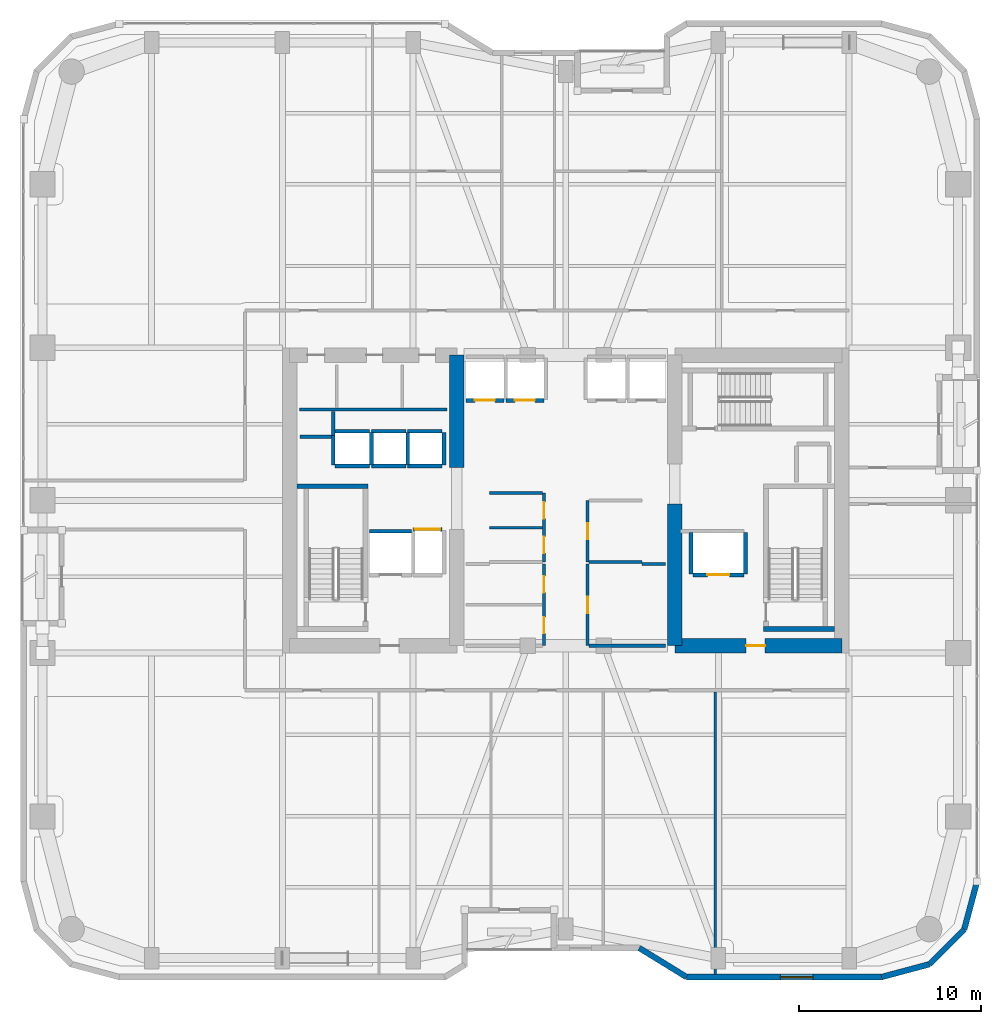
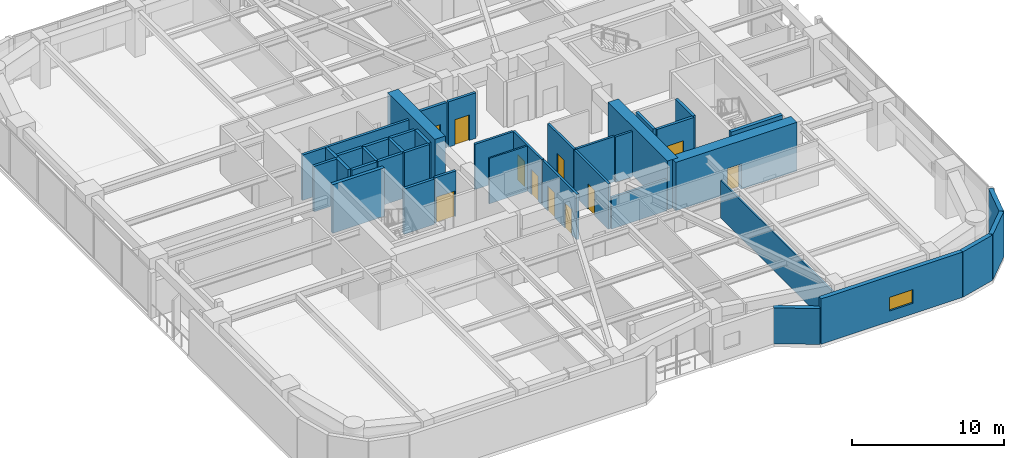
# One storey, part 19 of 24: 40 walls, 11 doors, 1 window, 12 openings.
"""IFC4 building model written with IfcOpenShell, lengths in metres."""

from ifc_helpers import new_model, si_unit, direction, frame, frame_2d, origin, place, context, subcontext, project, spatial, rectangle, extrude, material, layer, layer_set, type_object, element, fill, save


model = new_model("IFC4")

# Units and contexts
model_context = context("Model", 3, precision=1e-05, world=origin(), true_north=direction((0.0, 1.0)))
body_context = subcontext(model_context, "Body", "Model", "MODEL_VIEW")
ifc_project = project(units=[si_unit("LENGTHUNIT", "METRE"), si_unit("AREAUNIT", "SQUARE_METRE"), si_unit("VOLUMEUNIT", "CUBIC_METRE"), si_unit("PLANEANGLEUNIT", "RADIAN"), si_unit("MASSUNIT", "GRAM", prefix="KILO")], contexts=[model_context])

# Site, building, storey
site_placement = place(None, origin())
site = spatial("IfcSite", under=ifc_project, at=site_placement, CompositionType="ELEMENT")
building_placement = place(site_placement, origin())
building = spatial("IfcBuilding", under=site, at=building_placement, Name="Kiyonajd Concourse Tower", CompositionType="ELEMENT")
storey_placement = place(building_placement, frame((0.0, 0.0, 137.699951171875)))
storey = spatial("IfcBuildingStorey", under=building, at=storey_placement, Name="L35", CompositionType="ELEMENT", Elevation=137.699951171875)

# Walls
ifc_material_1 = material(Name="Concrete C70/85", Category="concrete")
ifc_layer_1 = layer(ifc_material_1, 0.800048828125)
ifc_layer_set_1 = layer_set([ifc_layer_1], Name="Concrete C70/85")
wall_type_1 = type_object("IfcWallType", Name="WL-CORE-800", PredefinedType="SHEAR", material=ifc_layer_set_1)
wall_1_placement = place(storey_placement, frame((42.0, 37.800048828125, 0.0), z_axis=(0.0, 0.0, 1.0), x_axis=(0.0, 1.0, 0.0)))
element("IfcWall", 1, at=wall_1_placement, inside=storey, type_object=wall_type_1, Name="L35 West Core Inner North Shear Wall", PredefinedType="SHEAR", context=body_context, shape_type="SweptSolid", body=[
    extrude(rectangle(XDim=6.199951171875, YDim=0.800048828125, at=frame_2d((3.10009765625, 0.0))), origin(), (0.0, 0.0, 1.0), 3.900146484375),
])
wall_2_placement = place(storey_placement, frame((54.0, 28.0, 0.0), z_axis=(0.0, 0.0, 1.0), x_axis=(0.0, 1.0, 0.0)))
element("IfcWall", 2, at=wall_2_placement, inside=storey, type_object=wall_type_1, Name="L35 East Core Inner South Shear Wall", PredefinedType="SHEAR", context=body_context, shape_type="SweptSolid", body=[
    extrude(rectangle(XDim=7.800048828125, YDim=0.800048828125, at=frame_2d((3.89990234375, 0.0))), origin(), (0.0, 0.0, 1.0), 3.900146484375),
])

# Wall, opening, door
wall_3_placement = place(storey_placement, frame((54.0, 28.0, 0.0), z_axis=(0.0, 0.0, 1.0), x_axis=(1.0, 0.0, 0.0)))
wall_3 = element("IfcWall", 3, at=wall_3_placement, inside=storey, type_object=wall_type_1, Name="L35 East Core South Shear Wall", PredefinedType="SHEAR", context=body_context, shape_type="SweptSolid", body=[
    extrude(rectangle(XDim=9.199951171875, YDim=0.800048828125, at=frame_2d((4.60009765625, 0.0))), origin(), (0.0, 0.0, 1.0), 3.900146484375),
])
opening_1_placement = place(wall_3_placement, frame((3.925048828125, 0.0, 0.0)))
opening_1 = element("IfcOpeningElement", 4, at=opening_1_placement, cuts=wall_3, Name="Opening DF5", PredefinedType="OPENING", context=body_context, shape_type="SweptSolid", body=[
    extrude(rectangle(XDim=1.050048828125, YDim=2.0400390625, at=frame_2d((0.52490234375, 1.02001953125))), frame((0.0, 0.409912109375, 0.0), z_axis=(0.0, -1.0, 0.0), x_axis=(1.0, 0.0, 0.0)), (0.0, 0.0, 1.0), 0.820068359375),
])
ifc_material_2 = material(Name="Brushed Stainless Steel Cab Assembly", Category="steel")
door_type_1 = type_object("IfcDoorType", Name="DR-FD45-1050", OperationType="NOTDEFINED", PredefinedType="DOOR", material=ifc_material_2)
door_1_placement = place(opening_1_placement, origin())
door_1 = element("IfcDoor", 5, at=door_1_placement, inside=storey, type_object=door_type_1, Name="L35 Firefighting Lift Lobby E Smoke Door", OperationType="SINGLE_SWING_RIGHT", OverallHeight=2.0400390625, OverallWidth=1.050048828125, PredefinedType="DOOR", context=body_context, shape_type="SweptSolid", body=[
    extrude(rectangle(XDim=1.050048828125, YDim=2.0400390625, at=frame_2d((0.52490234375, 1.02001953125))), frame((0.0, 0.02490234375, 0.0), z_axis=(0.0, -1.0, 0.0), x_axis=(1.0, 0.0, 0.0)), (0.0, 0.0, 1.0), 0.050048828125),
])
fill(opening_1, door_1)

# Walls
ifc_material_3 = material(Name="Precast concrete C50/60", Category="concrete")
ifc_layer_2 = layer(ifc_material_3, 0.320068359375)
ifc_layer_set_2 = layer_set([ifc_layer_2], Name="Precast concrete C50/60")
wall_type_2 = type_object("IfcWallType", Name="WL-EXT-320", PredefinedType="SOLIDWALL", material=ifc_layer_set_2)
wall_4_placement = place(storey_placement, frame((70.639892578125, 15.02099609375, 0.0), z_axis=(0.0, 0.0, 1.0), x_axis=(-0.258613949072, -0.965980758269, 0.0)))
element("IfcWall", 6, at=wall_4_placement, inside=storey, type_object=wall_type_2, Name="L35 Exterior Concrete Frame Wall 25", PredefinedType="SOLIDWALL", context=body_context, shape_type="SweptSolid", body=[
    extrude(rectangle(XDim=2.731201171875, YDim=0.320068359375, at=frame_2d((1.36572265625, 0.0))), origin(), (0.0, 0.0, 1.0), 3.64013671875),
])
wall_5_placement = place(storey_placement, frame((69.93359375, 12.3828125, 0.0), z_axis=(0.0, 0.0, 1.0), x_axis=(-0.707151821269, -0.707061738235, 0.0)))
element("IfcWall", 7, at=wall_5_placement, inside=storey, type_object=wall_type_2, Name="L35 Exterior Concrete Frame Wall 26", PredefinedType="SOLIDWALL", context=body_context, shape_type="SweptSolid", body=[
    extrude(rectangle(XDim=2.710205078125, YDim=0.320068359375, at=frame_2d((1.35498046875, 0.0))), origin(), (0.0, 0.0, 1.0), 3.64013671875),
])
wall_6_placement = place(storey_placement, frame((68.01708984375, 10.466552734375, 0.0), z_axis=(0.0, 0.0, 1.0), x_axis=(-0.965958423373, -0.25869736047, 0.0)))
element("IfcWall", 8, at=wall_6_placement, inside=storey, type_object=wall_type_2, Name="L35 Exterior Concrete Frame Wall 27", PredefinedType="SOLIDWALL", context=body_context, shape_type="SweptSolid", body=[
    extrude(rectangle(XDim=2.731201171875, YDim=0.320068359375, at=frame_2d((1.36572265625, 0.0))), origin(), (0.0, 0.0, 1.0), 3.64013671875),
])

# Wall, opening, window
wall_7_placement = place(storey_placement, frame((65.37890625, 9.760009765625, 0.0), z_axis=(0.0, 0.0, 1.0), x_axis=(-1.0, 0.0, 0.0)))
wall_7 = element("IfcWall", 9, at=wall_7_placement, inside=storey, type_object=wall_type_2, Name="L35 Exterior Concrete Frame Wall 28", PredefinedType="SOLIDWALL", context=body_context, shape_type="SweptSolid", body=[
    extrude(rectangle(XDim=10.733642578125, YDim=0.320068359375, at=frame_2d((5.36669921875, 0.0))), origin(), (0.0, 0.0, 1.0), 3.64013671875),
])
opening_2_placement = place(wall_7_placement, frame((3.76904296875, 0.0, 0.85009765625)))
opening_2 = element("IfcOpeningElement", 10, at=opening_2_placement, cuts=wall_7, Name="Opening WN1", PredefinedType="OPENING", context=body_context, shape_type="SweptSolid", body=[
    extrude(rectangle(XDim=1.800048828125, YDim=1.10009765625, at=frame_2d((0.89990234375, 0.550048828125))), frame((0.0, 0.169921875, 0.0), z_axis=(0.0, -1.0, 0.0), x_axis=(1.0, 0.0, 0.0)), (0.0, 0.0, 1.0), 0.340087890625),
])
ifc_material_4 = material(Name="Double Low-E Insulated Glass", Category="glass")
window_type = type_object("IfcWindowType", Name="WN-VIS-1800x1100", PartitioningType="SINGLE_PANEL", PredefinedType="WINDOW", material=ifc_material_4)
window_placement = place(opening_2_placement, origin())
window = element("IfcWindow", 11, at=window_placement, inside=storey, type_object=window_type, Name="L35 Modular Facade Vision Window 28", OverallHeight=1.10009765625, OverallWidth=1.800048828125, PartitioningType="SINGLE_PANEL", PredefinedType="WINDOW", context=body_context, shape_type="SweptSolid", body=[
    extrude(rectangle(XDim=1.800048828125, YDim=1.10009765625, at=frame_2d((0.89990234375, 0.550048828125))), frame((0.0, 0.030029296875, 0.0), z_axis=(0.0, -1.0, 0.0), x_axis=(1.0, 0.0, 0.0)), (0.0, 0.0, 1.0), 0.06005859375),
])
fill(opening_2, window)

# Walls
wall_8_placement = place(storey_placement, frame((54.645263671875, 9.760009765625, 0.0), z_axis=(0.0, 0.0, 1.0), x_axis=(-0.851630857047, 0.524142044989, 0.0)))
element("IfcWall", 12, at=wall_8_placement, inside=storey, type_object=wall_type_2, Name="L35 Exterior Concrete Frame Wall 29", PredefinedType="SOLIDWALL", context=body_context, shape_type="SweptSolid", body=[
    extrude(rectangle(XDim=3.052734375, YDim=0.320068359375, at=frame_2d((1.5263671875, 0.0))), origin(), (0.0, 0.0, 1.0), 2.875),
])
ifc_material_5 = material(Name="Gypsum Board on Cold-Formed Steel Stud", Category="steel")
ifc_layer_3 = layer(ifc_material_5, 0.125)
ifc_layer_set_3 = layer_set([ifc_layer_3], Name="Gypsum Board on Cold-Formed Steel Stud")
wall_type_3 = type_object("IfcWallType", Name="WL-PART-125", PredefinedType="PARTITIONING", material=ifc_layer_set_3)
wall_9_placement = place(storey_placement, frame((43.800048828125, 34.5, 0.0), z_axis=(0.0, 0.0, 1.0), x_axis=(1.0, 0.0, 0.0)))
element("IfcWall", 13, at=wall_9_placement, inside=storey, type_object=wall_type_3, Name="L35 Interior Partition Wall", PredefinedType="PARTITIONING", context=body_context, shape_type="SweptSolid", body=[
    extrude(rectangle(XDim=2.912841796875, YDim=0.125, at=frame_2d((1.45654296875, 0.0))), origin(), (0.0, 0.0, 1.0), 3.64013671875),
])
wall_10_placement = place(storey_placement, frame((56.22998046875, 9.9150390625, 0.0), z_axis=(0.0, 0.0, 1.0), x_axis=(0.0, 1.0, 0.0)))
element("IfcWall", 14, at=wall_10_placement, inside=storey, type_object=wall_type_3, Name="L35 Interior Partition Wall", PredefinedType="PARTITIONING", context=body_context, shape_type="SweptSolid", body=[
    extrude(rectangle(XDim=15.5478515625, YDim=0.125, at=frame_2d((7.77392578125, 0.0))), origin(), (0.0, 0.0, 1.0), 3.0029296875),
])
ifc_layer_4 = layer(ifc_material_5, 0.18994140625)
ifc_layer_set_4 = layer_set([ifc_layer_4], Name="Gypsum Board on Cold-Formed Steel Stud")
wall_type_4 = type_object("IfcWallType", Name="WL-PLMB-190", PredefinedType="PLUMBINGWALL", material=ifc_layer_set_4)
wall_11_placement = place(storey_placement, frame((33.35009765625, 41.0, 0.0), z_axis=(0.0, 0.0, 1.0), x_axis=(1.0, 0.0, 0.0)))
element("IfcWall", 15, at=wall_11_placement, inside=storey, type_object=wall_type_4, Name="L35 Interior Partition Wall", PredefinedType="PLUMBINGWALL", context=body_context, shape_type="SweptSolid", body=[
    extrude(rectangle(XDim=8.099853515625, YDim=0.18994140625, at=frame_2d((4.0498046875, 0.0))), origin(), (0.0, 0.0, 1.0), 3.64013671875),
])
ifc_layer_5 = layer(ifc_material_5, 0.2099609375)
ifc_layer_set_5 = layer_set([ifc_layer_5], Name="Gypsum Board on Cold-Formed Steel Stud")
wall_type_5 = type_object("IfcWallType", Name="WL-SHAFT-210", PredefinedType="PARTITIONING", material=ifc_layer_set_5)
wall_12_placement = place(storey_placement, frame((33.360107421875, 39.5, 0.0), z_axis=(0.0, 0.0, 1.0), x_axis=(1.0, 0.0, 0.0)))
element("IfcWall", 16, at=wall_12_placement, inside=storey, type_object=wall_type_5, Name="L35 Shaft Enclosure Wall", PredefinedType="PARTITIONING", context=body_context, shape_type="SweptSolid", body=[
    extrude(rectangle(XDim=1.85986328125, YDim=0.2099609375, at=frame_2d((0.929931640625, 0.0))), origin(), (0.0, 0.0, 1.0), 3.64013671875),
])
wall_13_placement = place(storey_placement, frame((35.199951171875, 39.580078125, 0.0), z_axis=(0.0, 0.0, 1.0), x_axis=(0.0, 1.0, 0.0)))
element("IfcWall", 17, at=wall_13_placement, inside=storey, type_object=wall_type_5, Name="L35 Shaft Enclosure Wall", PredefinedType="PARTITIONING", context=body_context, shape_type="SweptSolid", body=[
    extrude(rectangle(XDim=1.31982421875, YDim=0.2099609375, at=frame_2d((0.659912109375, 0.0))), origin(), (0.0, 0.0, 1.0), 3.64013671875),
])
wall_14_placement = place(storey_placement, frame((37.199951171875, 34.300048828125, 0.0), z_axis=(0.0, 0.0, 1.0), x_axis=(1.0, 0.0, 0.0)))
element("IfcWall", 18, at=wall_14_placement, inside=storey, type_object=wall_type_5, Name="L35 Shaft Enclosure Wall", PredefinedType="PARTITIONING", context=body_context, shape_type="SweptSolid", body=[
    extrude(rectangle(XDim=2.300048828125, YDim=0.2099609375, at=frame_2d((1.14990234375, 0.0))), origin(), (0.0, 0.0, 1.0), 3.64013671875),
])

# Wall, opening, door
wall_15_placement = place(storey_placement, frame((55.0, 31.89990234375, 0.0), z_axis=(0.0, 0.0, 1.0), x_axis=(1.0, 0.0, 0.0)))
wall_15 = element("IfcWall", 19, at=wall_15_placement, inside=storey, type_object=wall_type_5, Name="L35 Shaft Enclosure Wall", PredefinedType="PARTITIONING", context=body_context, shape_type="SweptSolid", body=[
    extrude(rectangle(XDim=2.800048828125, YDim=0.2099609375, at=frame_2d((1.39990234375, 0.0))), origin(), (0.0, 0.0, 1.0), 3.64013671875),
])
opening_3_placement = place(wall_15_placement, frame((0.800048828125, 0.0, 0.0)))
opening_3 = element("IfcOpeningElement", 20, at=opening_3_placement, cuts=wall_15, Name="Opening LD2", PredefinedType="OPENING", context=body_context, shape_type="SweptSolid", body=[
    extrude(rectangle(XDim=1.199951171875, YDim=2.0400390625, at=frame_2d((0.60009765625, 1.02001953125))), frame((0.0, 0.114990234375, 0.0), z_axis=(0.0, -1.0, 0.0), x_axis=(1.0, 0.0, 0.0)), (0.0, 0.0, 1.0), 0.22998046875),
])
door_type_2 = type_object("IfcDoorType", Name="DR-LD-1200", OperationType="DOUBLE_DOOR_SLIDING", PredefinedType="DOOR", material=ifc_material_2)
door_2_placement = place(opening_3_placement, origin())
door_2 = element("IfcDoor", 21, at=door_2_placement, inside=storey, type_object=door_type_2, Name="L35 Lift FFL2 Sliding Landing Door", OperationType="DOUBLE_DOOR_SLIDING", OverallHeight=2.0400390625, OverallWidth=1.199951171875, PredefinedType="DOOR", context=body_context, shape_type="SweptSolid", body=[
    extrude(rectangle(XDim=1.199951171875, YDim=2.0400390625, at=frame_2d((0.60009765625, 1.02001953125))), frame((0.0, 0.02490234375, 0.0), z_axis=(0.0, -1.0, 0.0), x_axis=(1.0, 0.0, 0.0)), (0.0, 0.0, 1.0), 0.050048828125),
])
fill(opening_3, door_2)

# Walls
for number, where, z_axis, x_axis, name in (
    (22, (54.89990234375, 31.9599609375, 0.0), (0.0, 0.0, 1.0), (0.0, 1.0, 0.0), "L35 Shaft Enclosure Wall"),
    (23, (57.89990234375, 31.9599609375, 0.0), (0.0, 0.0, 1.0), (0.0, 1.0, 0.0), "L35 Shaft Enclosure Wall"),
):
    element("IfcWall", number, at=place(storey_placement, frame(where, z_axis=z_axis, x_axis=x_axis)), inside=storey, type_object=wall_type_5, Name=name, PredefinedType="PARTITIONING", context=body_context, shape_type="SweptSolid", body=[
        extrude(rectangle(XDim=2.280029296875, YDim=0.2099609375, at=frame_2d((1.14013671875, 0.0))), origin(), (0.0, 0.0, 1.0), 3.64013671875),
    ])

# Wall, opening, door
wall_16_placement = place(storey_placement, frame((39.60009765625, 34.39990234375, 0.0), z_axis=(0.0, 0.0, 1.0), x_axis=(1.0, 0.0, 0.0)))
wall_16 = element("IfcWall", 24, at=wall_16_placement, inside=storey, type_object=wall_type_5, Name="L35 Shaft Enclosure Wall", PredefinedType="PARTITIONING", context=body_context, shape_type="SweptSolid", body=[
    extrude(rectangle(XDim=1.599853515625, YDim=0.2099609375, at=frame_2d((0.7998046875, 0.0))), origin(), (0.0, 0.0, 1.0), 3.64013671875),
])
opening_4_placement = place(wall_16_placement, frame((0.10009765625, 0.0, 0.0)))
opening_4 = element("IfcOpeningElement", 25, at=opening_4_placement, cuts=wall_16, Name="Opening LD3", PredefinedType="OPENING", context=body_context, shape_type="SweptSolid", body=[
    extrude(rectangle(XDim=1.39990234375, YDim=2.06005859375, at=frame_2d((0.699951171875, 1.030029296875))), frame((0.0, 0.114990234375, 0.0), z_axis=(0.0, -1.0, 0.0), x_axis=(1.0, 0.0, 0.0)), (0.0, 0.0, 1.0), 0.22998046875),
])
door_type_3 = type_object("IfcDoorType", Name="DR-LD-1400", OperationType="DOUBLE_DOOR_SLIDING", PredefinedType="DOOR", material=ifc_material_2)
door_3_placement = place(opening_4_placement, origin())
door_3 = element("IfcDoor", 26, at=door_3_placement, inside=storey, type_object=door_type_3, Name="L35 Lift SVL1 Sliding Landing Door", OperationType="DOUBLE_DOOR_SLIDING", OverallHeight=2.06005859375, OverallWidth=1.39990234375, PredefinedType="DOOR", context=body_context, shape_type="SweptSolid", body=[
    extrude(rectangle(XDim=1.39990234375, YDim=2.06005859375, at=frame_2d((0.699951171875, 1.030029296875))), frame((0.0, 0.02490234375, 0.0), z_axis=(0.0, -1.0, 0.0), x_axis=(1.0, 0.0, 0.0)), (0.0, 0.0, 1.0), 0.050048828125),
])
fill(opening_4, door_3)

wall_17_placement = place(storey_placement, frame((42.5, 41.5, 0.0), z_axis=(0.0, 0.0, 1.0), x_axis=(1.0, 0.0, 0.0)))
wall_17 = element("IfcWall", 27, at=wall_17_placement, inside=storey, type_object=wall_type_5, Name="L35 Shaft Enclosure Wall", PredefinedType="PARTITIONING", context=body_context, shape_type="SweptSolid", body=[
    extrude(rectangle(XDim=2.10009765625, YDim=0.2099609375, at=frame_2d((1.050048828125, 0.0))), origin(), (0.0, 0.0, 1.0), 3.64013671875),
])
opening_5_placement = place(wall_17_placement, frame((0.5, 0.0, 0.0)))
opening_5 = element("IfcOpeningElement", 28, at=opening_5_placement, cuts=wall_17, Name="Opening LD1", PredefinedType="OPENING", context=body_context, shape_type="SweptSolid", body=[
    extrude(rectangle(XDim=1.10009765625, YDim=2.0400390625, at=frame_2d((0.550048828125, 1.02001953125))), frame((0.0, 0.114990234375, 0.0), z_axis=(0.0, -1.0, 0.0), x_axis=(1.0, 0.0, 0.0)), (0.0, 0.0, 1.0), 0.22998046875),
])
door_type_4 = type_object("IfcDoorType", Name="DR-LD-1100", OperationType="DOUBLE_DOOR_SLIDING", PredefinedType="DOOR", material=ifc_material_2)
door_4_placement = place(opening_5_placement, origin())
door_4 = element("IfcDoor", 29, at=door_4_placement, inside=storey, type_object=door_type_4, Name="L35 Lift PL-M1 Sliding Landing Door", OperationType="DOUBLE_DOOR_SLIDING", OverallHeight=2.0400390625, OverallWidth=1.10009765625, PredefinedType="DOOR", context=body_context, shape_type="SweptSolid", body=[
    extrude(rectangle(XDim=1.10009765625, YDim=2.0400390625, at=frame_2d((0.550048828125, 1.02001953125))), frame((0.0, 0.02490234375, 0.0), z_axis=(0.0, -1.0, 0.0), x_axis=(1.0, 0.0, 0.0)), (0.0, 0.0, 1.0), 0.050048828125),
])
fill(opening_5, door_4)

wall_18_placement = place(storey_placement, frame((44.699951171875, 41.5, 0.0), z_axis=(0.0, 0.0, 1.0), x_axis=(1.0, 0.0, 0.0)))
wall_18 = element("IfcWall", 30, at=wall_18_placement, inside=storey, type_object=wall_type_5, Name="L35 Shaft Enclosure Wall", PredefinedType="PARTITIONING", context=body_context, shape_type="SweptSolid", body=[
    extrude(rectangle(XDim=2.10009765625, YDim=0.2099609375, at=frame_2d((1.050048828125, 0.0))), origin(), (0.0, 0.0, 1.0), 3.64013671875),
])
opening_6_placement = place(wall_18_placement, frame((0.5, 0.0, 0.0)))
opening_6 = element("IfcOpeningElement", 31, at=opening_6_placement, cuts=wall_18, Name="Opening LD1", PredefinedType="OPENING", context=body_context, shape_type="SweptSolid", body=[
    extrude(rectangle(XDim=1.10009765625, YDim=2.0400390625, at=frame_2d((0.550048828125, 1.02001953125))), frame((0.0, 0.114990234375, 0.0), z_axis=(0.0, -1.0, 0.0), x_axis=(1.0, 0.0, 0.0)), (0.0, 0.0, 1.0), 0.22998046875),
])
door_5_placement = place(opening_6_placement, origin())
door_5 = element("IfcDoor", 32, at=door_5_placement, inside=storey, type_object=door_type_4, Name="L35 Lift PL-M2 Sliding Landing Door", OperationType="DOUBLE_DOOR_SLIDING", OverallHeight=2.0400390625, OverallWidth=1.10009765625, PredefinedType="DOOR", context=body_context, shape_type="SweptSolid", body=[
    extrude(rectangle(XDim=1.10009765625, YDim=2.0400390625, at=frame_2d((0.550048828125, 1.02001953125))), frame((0.0, 0.02490234375, 0.0), z_axis=(0.0, -1.0, 0.0), x_axis=(1.0, 0.0, 0.0)), (0.0, 0.0, 1.0), 0.050048828125),
])
fill(opening_6, door_5)

# Walls
for number, where, z_axis, x_axis, name in (
    (33, (35.300048828125, 37.89990234375, 0.0), (0.0, 0.0, 1.0), (1.0, 0.0, 0.0), "L35 Shaft Enclosure Wall"),
    (34, (35.300048828125, 39.800048828125, 0.0), (0.0, 0.0, 1.0), (1.0, 0.0, 0.0), "L35 Shaft Enclosure Wall"),
):
    element("IfcWall", number, at=place(storey_placement, frame(where, z_axis=z_axis, x_axis=x_axis)), inside=storey, type_object=wall_type_5, Name=name, PredefinedType="PARTITIONING", context=body_context, shape_type="SweptSolid", body=[
        extrude(rectangle(XDim=1.89990234375, YDim=0.2099609375, at=frame_2d((0.949951171875, 0.0))), origin(), (0.0, 0.0, 1.0), 3.64013671875),
    ])
wall_19_placement = place(storey_placement, frame((35.199951171875, 37.9599609375, 0.0), z_axis=(0.0, 0.0, 1.0), x_axis=(0.0, 1.0, 0.0)))
element("IfcWall", 35, at=wall_19_placement, inside=storey, type_object=wall_type_5, Name="L35 Shaft Enclosure Wall", PredefinedType="PARTITIONING", context=body_context, shape_type="SweptSolid", body=[
    extrude(rectangle(XDim=1.6201171875, YDim=0.2099609375, at=frame_2d((0.81005859375, 0.0))), origin(), (0.0, 0.0, 1.0), 3.64013671875),
])
wall_20_placement = place(storey_placement, frame((37.300048828125, 37.9599609375, 0.0), z_axis=(0.0, 0.0, 1.0), x_axis=(0.0, 1.0, 0.0)))
element("IfcWall", 36, at=wall_20_placement, inside=storey, type_object=wall_type_5, Name="L35 Shaft Enclosure Wall", PredefinedType="PARTITIONING", context=body_context, shape_type="SweptSolid", body=[
    extrude(rectangle(XDim=1.780029296875, YDim=0.2099609375, at=frame_2d((0.89013671875, 0.0))), origin(), (0.0, 0.0, 1.0), 3.64013671875),
])
for number, where, z_axis, x_axis, name in (
    (37, (37.300048828125, 37.89990234375, 0.0), (0.0, 0.0, 1.0), (1.0, 0.0, 0.0), "L35 Shaft Enclosure Wall"),
    (38, (37.300048828125, 39.800048828125, 0.0), (0.0, 0.0, 1.0), (1.0, 0.0, 0.0), "L35 Shaft Enclosure Wall"),
):
    element("IfcWall", number, at=place(storey_placement, frame(where, z_axis=z_axis, x_axis=x_axis)), inside=storey, type_object=wall_type_5, Name=name, PredefinedType="PARTITIONING", context=body_context, shape_type="SweptSolid", body=[
        extrude(rectangle(XDim=1.89990234375, YDim=0.2099609375, at=frame_2d((0.949951171875, 0.0))), origin(), (0.0, 0.0, 1.0), 3.64013671875),
    ])
wall_21_placement = place(storey_placement, frame((39.300048828125, 37.9599609375, 0.0), z_axis=(0.0, 0.0, 1.0), x_axis=(0.0, 1.0, 0.0)))
element("IfcWall", 39, at=wall_21_placement, inside=storey, type_object=wall_type_5, Name="L35 Shaft Enclosure Wall", PredefinedType="PARTITIONING", context=body_context, shape_type="SweptSolid", body=[
    extrude(rectangle(XDim=1.780029296875, YDim=0.2099609375, at=frame_2d((0.89013671875, 0.0))), origin(), (0.0, 0.0, 1.0), 3.64013671875),
])
for number, where, z_axis, x_axis, name in (
    (40, (39.300048828125, 37.89990234375, 0.0), (0.0, 0.0, 1.0), (1.0, 0.0, 0.0), "L35 Shaft Enclosure Wall"),
    (41, (39.300048828125, 39.800048828125, 0.0), (0.0, 0.0, 1.0), (1.0, 0.0, 0.0), "L35 Shaft Enclosure Wall"),
):
    element("IfcWall", number, at=place(storey_placement, frame(where, z_axis=z_axis, x_axis=x_axis)), inside=storey, type_object=wall_type_5, Name=name, PredefinedType="PARTITIONING", context=body_context, shape_type="SweptSolid", body=[
        extrude(rectangle(XDim=1.89990234375, YDim=0.2099609375, at=frame_2d((0.949951171875, 0.0))), origin(), (0.0, 0.0, 1.0), 3.64013671875),
    ])
wall_22_placement = place(storey_placement, frame((41.300048828125, 37.9599609375, 0.0), z_axis=(0.0, 0.0, 1.0), x_axis=(0.0, 1.0, 0.0)))
element("IfcWall", 42, at=wall_22_placement, inside=storey, type_object=wall_type_5, Name="L35 Shaft Enclosure Wall", PredefinedType="PARTITIONING", context=body_context, shape_type="SweptSolid", body=[
    extrude(rectangle(XDim=1.780029296875, YDim=0.2099609375, at=frame_2d((0.89013671875, 0.0))), origin(), (0.0, 0.0, 1.0), 3.64013671875),
])

# Wall, openings, doors
ifc_layer_6 = layer(ifc_material_5, 0.169921875)
ifc_layer_set_6 = layer_set([ifc_layer_6], Name="Gypsum Board on Cold-Formed Steel Stud")
wall_type_6 = type_object("IfcWallType", Name="WL-SMK-170", PredefinedType="PARTITIONING", material=ifc_layer_set_6)
wall_23_placement = place(storey_placement, frame((46.800048828125, 32.60009765625, 0.0), z_axis=(0.0, 0.0, 1.0), x_axis=(0.0, 1.0, 0.0)))
wall_23 = element("IfcWall", 43, at=wall_23_placement, inside=storey, type_object=wall_type_6, Name="L35 Interior Partition Wall", PredefinedType="PARTITIONING", context=body_context, shape_type="SweptSolid", body=[
    extrude(rectangle(XDim=3.7998046875, YDim=0.169921875, at=frame_2d((1.89990234375, 0.0))), origin(), (0.0, 0.0, 1.0), 3.64013671875),
])
opening_7_placement = place(wall_23_placement, frame((0.5, 0.0, 0.0)))
opening_7 = element("IfcOpeningElement", 44, at=opening_7_placement, cuts=wall_23, Name="Opening DI2", PredefinedType="OPENING", context=body_context, shape_type="SweptSolid", body=[
    extrude(rectangle(XDim=0.89990234375, YDim=2.02001953125, at=frame_2d((0.449951171875, 1.010009765625))), frame((0.0, 0.094970703125, 0.0), z_axis=(0.0, -1.0, 0.0), x_axis=(1.0, 0.0, 0.0)), (0.0, 0.0, 1.0), 0.18994140625),
])
opening_8_placement = place(wall_23_placement, frame((2.39990234375, 0.0, 0.0)))
opening_8 = element("IfcOpeningElement", 45, at=opening_8_placement, cuts=wall_23, Name="Opening DI2", PredefinedType="OPENING", context=body_context, shape_type="SweptSolid", body=[
    extrude(rectangle(XDim=0.89990234375, YDim=2.02001953125, at=frame_2d((0.449951171875, 1.010009765625))), frame((0.0, 0.094970703125, 0.0), z_axis=(0.0, -1.0, 0.0), x_axis=(1.0, 0.0, 0.0)), (0.0, 0.0, 1.0), 0.18994140625),
])
ifc_material_6 = material(Name="Natural Oak Acoustic Timber Veneer", Category="wood")
door_type_5 = type_object("IfcDoorType", Name="DR-INT-900", OperationType="NOTDEFINED", PredefinedType="DOOR", material=ifc_material_6)
door_6_placement = place(opening_7_placement, origin())
door_6 = element("IfcDoor", 46, at=door_6_placement, inside=storey, type_object=door_type_5, Name="L35 Interior Door", OperationType="SINGLE_SWING_RIGHT", OverallHeight=2.02001953125, OverallWidth=0.89990234375, PredefinedType="DOOR", context=body_context, shape_type="SweptSolid", body=[
    extrude(rectangle(XDim=0.89990234375, YDim=2.02001953125, at=frame_2d((0.449951171875, 1.010009765625))), frame((0.0, 0.02490234375, 0.0), z_axis=(0.0, -1.0, 0.0), x_axis=(1.0, 0.0, 0.0)), (0.0, 0.0, 1.0), 0.050048828125),
])
fill(opening_7, door_6)
door_7_placement = place(opening_8_placement, origin())
door_7 = element("IfcDoor", 47, at=door_7_placement, inside=storey, type_object=door_type_5, Name="L35 Interior Door", OperationType="SINGLE_SWING_LEFT", OverallHeight=2.02001953125, OverallWidth=0.89990234375, PredefinedType="DOOR", context=body_context, shape_type="SweptSolid", body=[
    extrude(rectangle(XDim=0.89990234375, YDim=2.02001953125, at=frame_2d((0.449951171875, 1.010009765625))), frame((0.0, 0.02490234375, 0.0), z_axis=(0.0, -1.0, 0.0), x_axis=(1.0, 0.0, 0.0)), (0.0, 0.0, 1.0), 0.050048828125),
])
fill(opening_8, door_7)

# Wall
wall_24_placement = place(storey_placement, frame((43.800048828125, 36.39990234375, 0.0), z_axis=(0.0, 0.0, 1.0), x_axis=(1.0, 0.0, 0.0)))
element("IfcWall", 48, at=wall_24_placement, inside=storey, type_object=wall_type_6, Name="L35 Interior Partition Wall", PredefinedType="PARTITIONING", context=body_context, shape_type="SweptSolid", body=[
    extrude(rectangle(XDim=2.912841796875, YDim=0.169921875, at=frame_2d((1.45654296875, 0.0))), origin(), (0.0, 0.0, 1.0), 3.64013671875),
])

# Wall, opening, door
wall_25_placement = place(storey_placement, frame((49.199951171875, 32.60009765625, 0.0), z_axis=(0.0, 0.0, 1.0), x_axis=(0.0, 1.0, 0.0)))
wall_25 = element("IfcWall", 49, at=wall_25_placement, inside=storey, type_object=wall_type_6, Name="L35 Interior Partition Wall", PredefinedType="PARTITIONING", context=body_context, shape_type="SweptSolid", body=[
    extrude(rectangle(XDim=3.39990234375, YDim=0.169921875, at=frame_2d((1.699951171875, 0.0))), origin(), (0.0, 0.0, 1.0), 3.64013671875),
])
opening_9_placement = place(wall_25_placement, frame((1.25, 0.0, 0.0)))
opening_9 = element("IfcOpeningElement", 50, at=opening_9_placement, cuts=wall_25, Name="Opening DI2", PredefinedType="OPENING", context=body_context, shape_type="SweptSolid", body=[
    extrude(rectangle(XDim=0.89990234375, YDim=2.02001953125, at=frame_2d((0.449951171875, 1.010009765625))), frame((0.0, 0.094970703125, 0.0), z_axis=(0.0, -1.0, 0.0), x_axis=(1.0, 0.0, 0.0)), (0.0, 0.0, 1.0), 0.18994140625),
])
door_8_placement = place(opening_9_placement, origin())
door_8 = element("IfcDoor", 51, at=door_8_placement, inside=storey, type_object=door_type_5, Name="L35 Interior Door", OperationType="SINGLE_SWING_RIGHT", OverallHeight=2.02001953125, OverallWidth=0.89990234375, PredefinedType="DOOR", context=body_context, shape_type="SweptSolid", body=[
    extrude(rectangle(XDim=0.89990234375, YDim=2.02001953125, at=frame_2d((0.449951171875, 1.010009765625))), frame((0.0, 0.02490234375, 0.0), z_axis=(0.0, -1.0, 0.0), x_axis=(1.0, 0.0, 0.0)), (0.0, 0.0, 1.0), 0.050048828125),
])
fill(opening_9, door_8)

# Wall
wall_26_placement = place(storey_placement, frame((49.287109375, 32.60009765625, 0.0), z_axis=(0.0, 0.0, 1.0), x_axis=(1.0, 0.0, 0.0)))
element("IfcWall", 52, at=wall_26_placement, inside=storey, type_object=wall_type_6, Name="L35 Interior Partition Wall", PredefinedType="PARTITIONING", context=body_context, shape_type="SweptSolid", body=[
    extrude(rectangle(XDim=2.912841796875, YDim=0.169921875, at=frame_2d((1.45654296875, 0.0))), origin(), (0.0, 0.0, 1.0), 3.64013671875),
])

# Wall, openings, doors
wall_27_placement = place(storey_placement, frame((46.800048828125, 28.0, 0.0), z_axis=(0.0, 0.0, 1.0), x_axis=(0.0, 1.0, 0.0)))
wall_27 = element("IfcWall", 53, at=wall_27_placement, inside=storey, type_object=wall_type_6, Name="L35 Interior Partition Wall", PredefinedType="PARTITIONING", context=body_context, shape_type="SweptSolid", body=[
    extrude(rectangle(XDim=4.5, YDim=0.169921875, at=frame_2d((2.25, 0.0))), origin(), (0.0, 0.0, 1.0), 3.64013671875),
])
opening_10_placement = place(wall_27_placement, frame((0.675048828125, 0.0, 0.0)))
opening_10 = element("IfcOpeningElement", 54, at=opening_10_placement, cuts=wall_27, Name="Opening DI2", PredefinedType="OPENING", context=body_context, shape_type="SweptSolid", body=[
    extrude(rectangle(XDim=0.89990234375, YDim=2.02001953125, at=frame_2d((0.449951171875, 1.010009765625))), frame((0.0, 0.094970703125, 0.0), z_axis=(0.0, -1.0, 0.0), x_axis=(1.0, 0.0, 0.0)), (0.0, 0.0, 1.0), 0.18994140625),
])
opening_11_placement = place(wall_27_placement, frame((2.925048828125, 0.0, 0.0)))
opening_11 = element("IfcOpeningElement", 55, at=opening_11_placement, cuts=wall_27, Name="Opening DI2", PredefinedType="OPENING", context=body_context, shape_type="SweptSolid", body=[
    extrude(rectangle(XDim=0.89990234375, YDim=2.02001953125, at=frame_2d((0.449951171875, 1.010009765625))), frame((0.0, 0.094970703125, 0.0), z_axis=(0.0, -1.0, 0.0), x_axis=(1.0, 0.0, 0.0)), (0.0, 0.0, 1.0), 0.18994140625),
])
door_9_placement = place(opening_10_placement, origin())
door_9 = element("IfcDoor", 56, at=door_9_placement, inside=storey, type_object=door_type_5, Name="L35 Interior Door", OperationType="SINGLE_SWING_LEFT", OverallHeight=2.02001953125, OverallWidth=0.89990234375, PredefinedType="DOOR", context=body_context, shape_type="SweptSolid", body=[
    extrude(rectangle(XDim=0.89990234375, YDim=2.02001953125, at=frame_2d((0.449951171875, 1.010009765625))), frame((0.0, 0.02490234375, 0.0), z_axis=(0.0, -1.0, 0.0), x_axis=(1.0, 0.0, 0.0)), (0.0, 0.0, 1.0), 0.050048828125),
])
fill(opening_10, door_9)
door_10_placement = place(opening_11_placement, origin())
door_10 = element("IfcDoor", 57, at=door_10_placement, inside=storey, type_object=door_type_5, Name="L35 Interior Door", OperationType="SINGLE_SWING_RIGHT", OverallHeight=2.02001953125, OverallWidth=0.89990234375, PredefinedType="DOOR", context=body_context, shape_type="SweptSolid", body=[
    extrude(rectangle(XDim=0.89990234375, YDim=2.02001953125, at=frame_2d((0.449951171875, 1.010009765625))), frame((0.0, 0.02490234375, 0.0), z_axis=(0.0, -1.0, 0.0), x_axis=(1.0, 0.0, 0.0)), (0.0, 0.0, 1.0), 0.050048828125),
])
fill(opening_11, door_10)

# Wall, opening, door
wall_28_placement = place(storey_placement, frame((49.199951171875, 28.0, 0.0), z_axis=(0.0, 0.0, 1.0), x_axis=(0.0, 1.0, 0.0)))
wall_28 = element("IfcWall", 58, at=wall_28_placement, inside=storey, type_object=wall_type_6, Name="L35 Interior Partition Wall", PredefinedType="PARTITIONING", context=body_context, shape_type="SweptSolid", body=[
    extrude(rectangle(XDim=4.5, YDim=0.169921875, at=frame_2d((2.25, 0.0))), origin(), (0.0, 0.0, 1.0), 3.64013671875),
])
opening_12_placement = place(wall_28_placement, frame((1.800048828125, 0.0, 0.0)))
opening_12 = element("IfcOpeningElement", 59, at=opening_12_placement, cuts=wall_28, Name="Opening DI2", PredefinedType="OPENING", context=body_context, shape_type="SweptSolid", body=[
    extrude(rectangle(XDim=0.89990234375, YDim=2.02001953125, at=frame_2d((0.449951171875, 1.010009765625))), frame((0.0, 0.094970703125, 0.0), z_axis=(0.0, -1.0, 0.0), x_axis=(1.0, 0.0, 0.0)), (0.0, 0.0, 1.0), 0.18994140625),
])
door_11_placement = place(opening_12_placement, origin())
door_11 = element("IfcDoor", 60, at=door_11_placement, inside=storey, type_object=door_type_5, Name="L35 Interior Door", OperationType="SINGLE_SWING_LEFT", OverallHeight=2.02001953125, OverallWidth=0.89990234375, PredefinedType="DOOR", context=body_context, shape_type="SweptSolid", body=[
    extrude(rectangle(XDim=0.89990234375, YDim=2.02001953125, at=frame_2d((0.449951171875, 1.010009765625))), frame((0.0, 0.02490234375, 0.0), z_axis=(0.0, -1.0, 0.0), x_axis=(1.0, 0.0, 0.0)), (0.0, 0.0, 1.0), 0.050048828125),
])
fill(opening_12, door_11)

# Walls
wall_29_placement = place(storey_placement, frame((49.287109375, 28.0, 0.0), z_axis=(0.0, 0.0, 1.0), x_axis=(1.0, 0.0, 0.0)))
element("IfcWall", 61, at=wall_29_placement, inside=storey, type_object=wall_type_6, Name="L35 Interior Partition Wall", PredefinedType="PARTITIONING", context=body_context, shape_type="SweptSolid", body=[
    extrude(rectangle(XDim=4.212890625, YDim=0.169921875, at=frame_2d((2.1064453125, 0.0))), origin(), (0.0, 0.0, 1.0), 2.525146484375),
])
wall_30_placement = place(storey_placement, frame((52.199951171875, 32.5, 0.0), z_axis=(0.0, 0.0, 1.0), x_axis=(1.0, 0.0, 0.0)))
element("IfcWall", 62, at=wall_30_placement, inside=storey, type_object=wall_type_6, Name="L35 Interior Partition Wall", PredefinedType="PARTITIONING", context=body_context, shape_type="SweptSolid", body=[
    extrude(rectangle(XDim=1.300048828125, YDim=0.169921875, at=frame_2d((0.64990234375, 0.0))), origin(), (0.0, 0.0, 1.0), 3.64013671875),
])
ifc_material_7 = material(Name="Concrete C50/60", Category="concrete")
ifc_layer_7 = layer(ifc_material_7, 0.260009765625)
ifc_layer_set_7 = layer_set([ifc_layer_7], Name="Concrete C50/60")
wall_type_7 = type_object("IfcWallType", Name="WL-STAIR-260", PredefinedType="SHEAR", material=ifc_layer_set_7)
for number, where, z_axis, x_axis, name in (
    (63, (33.199951171875, 36.780029296875, 0.0), (0.0, 0.0, 1.0), (1.0, 0.0, 0.0), "L35 Stair ST1 Structural North Wall"),
    (64, (58.889892578125, 28.919921875, 0.0), (0.0, 0.0, 1.0), (1.0, 0.0, 0.0), "L35 Stair ST2 Structural South Wall"),
):
    element("IfcWall", number, at=place(storey_placement, frame(where, z_axis=z_axis, x_axis=x_axis)), inside=storey, type_object=wall_type_7, Name=name, PredefinedType="SHEAR", context=body_context, shape_type="SweptSolid", body=[
        extrude(rectangle(XDim=3.91015625, YDim=0.260009765625, at=frame_2d((1.955078125, 0.0))), origin(), (0.0, 0.0, 1.0), 3.900146484375),
    ])

save(model, "model.ifc")
